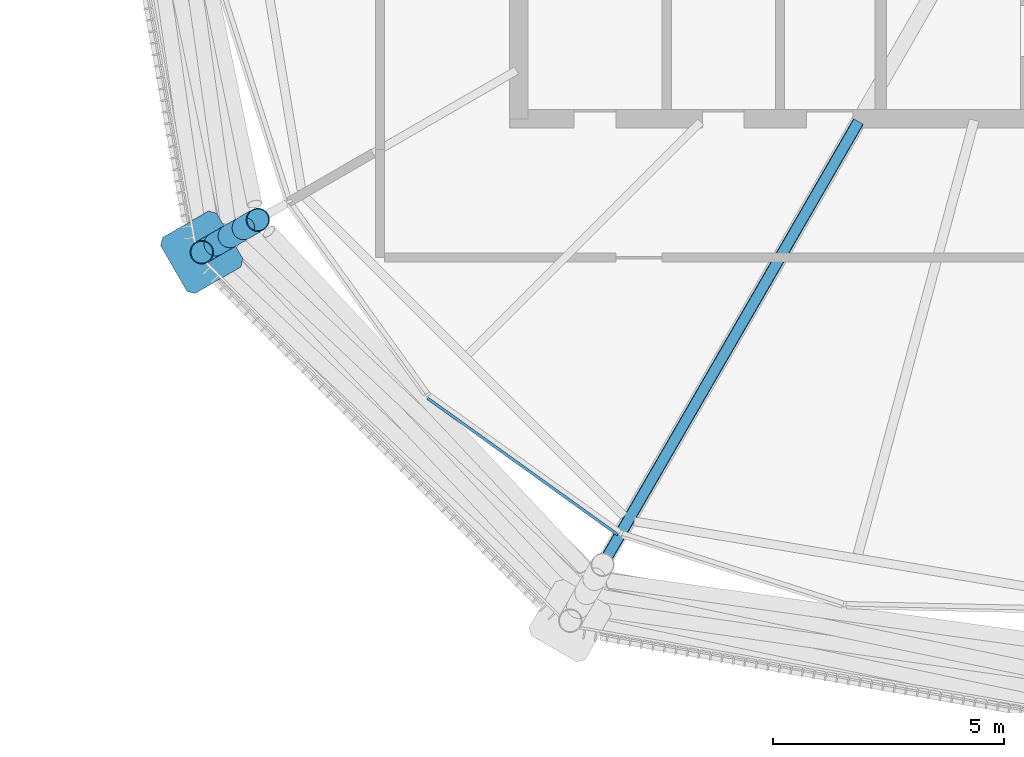
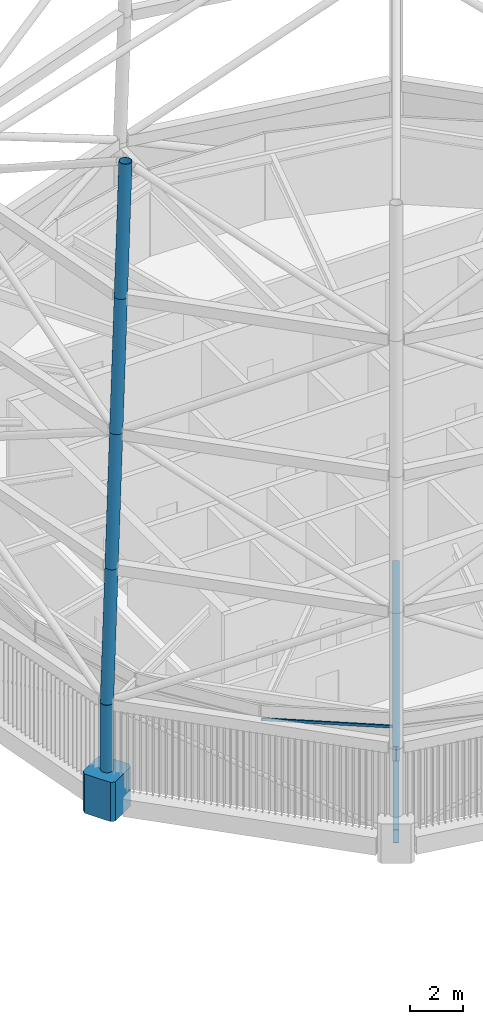
# One storey, part 38 of 71: 7 members, 2 beams, 1 element without a shape of its own.
"""IFC4 building model written with IfcOpenShell, lengths in metres."""

import ifcopenshell
import ifcopenshell.guid

model = None  # the IFC model being written
_history = None  # IfcOwnerHistory: only IFC2X3 demands one
_inside = {}  # id of a spatial element -> (the spatial element, [elements in it])
_under = {}  # id of a project, library or spatial element -> (it, [spatial elements below it])
_declared = {}  # id of a project -> (the project, [libraries it declares])
_typed = {}  # id of a type object -> (the type object, [elements of that type])
_made_of = {}  # id of a material, layer set ... -> (it, [elements and type objects made of it])


def new_model(schema):
    """Start an empty IFC model of exactly this schema.

    Asked for "IFC4X3", IfcOpenShell would pick the latest addendum, in which some entities
    have other attributes; the version numbers below select the first issue.
    IFC2X3 requires an IfcOwnerHistory on every rooted entity: one is made here for all.
    """
    global model, _history
    if schema == "IFC4X3":
        model = ifcopenshell.file(schema_version=(4, 3, 0, 0))
    else:
        model = ifcopenshell.file(schema=schema)
    _inside.clear()
    _under.clear()
    _declared.clear()
    _typed.clear()
    _made_of.clear()
    _history = None
    if model.schema == "IFC2X3":
        org = make("IfcOrganization", Name="unknown")
        user = make(
            "IfcPersonAndOrganization",
            ThePerson=make("IfcPerson", FamilyName="unknown"),
            TheOrganization=org,
        )
        app = make(
            "IfcApplication",
            ApplicationDeveloper=org,
            Version="unknown",
            ApplicationFullName="unknown",
            ApplicationIdentifier="unknown",
        )
        _history = make(
            "IfcOwnerHistory",
            OwningUser=user,
            OwningApplication=app,
            ChangeAction="ADDED",
            CreationDate=0,
        )
    return model


def make(cls, **values):
    """One entity of the class cls with the attributes given. An attribute that is None is left unset."""
    return model.create_entity(
        cls, **{name: value for name, value in values.items() if value is not None}
    )


def rooted(cls, **values):
    """An entity with a GlobalId (a new one), such as an element, a storey or a relation."""
    return make(cls, GlobalId=ifcopenshell.guid.new(), OwnerHistory=_history, **values)


def si_unit(unit_type, name, prefix=None):
    """IfcSIUnit, for example si_unit("LENGTHUNIT", "METRE", prefix="MILLI")."""
    return make("IfcSIUnit", UnitType=unit_type, Prefix=prefix, Name=name)


def assignment(units):
    """IfcUnitAssignment: the units of a project."""
    return None if units is None else make("IfcUnitAssignment", Units=units)


def point(xyz):
    """IfcCartesianPoint."""
    return None if xyz is None else make("IfcCartesianPoint", Coordinates=xyz)


def direction(xyz):
    """IfcDirection."""
    return None if xyz is None else make("IfcDirection", DirectionRatios=xyz)


def frame(location, z_axis=None, x_axis=None):
    """IfcAxis2Placement3D, a coordinate frame: its origin and axes. An axis left out is left unset."""
    return make(
        "IfcAxis2Placement3D",
        Location=point(location),
        Axis=direction(z_axis),
        RefDirection=direction(x_axis),
    )


def frame_2d(location, x_axis=None):
    """IfcAxis2Placement2D, a coordinate frame in the plane: its origin and x axis."""
    return make(
        "IfcAxis2Placement2D", Location=point(location), RefDirection=direction(x_axis)
    )


def origin():
    """The frame at (0, 0, 0) with its axes left unset."""
    return frame((0.0, 0.0, 0.0))


def origin_2d():
    """The frame at (0, 0) in the plane with its x axis left unset."""
    return frame_2d((0.0, 0.0))


def place(relative_to, where):
    """IfcLocalPlacement: puts the frame where relative to a parent placement (None: the world)."""
    return make(
        "IfcLocalPlacement", PlacementRelTo=relative_to, RelativePlacement=where
    )


def context(
    kind, dimensions, precision=None, world=None, true_north=None, identifier=None
):
    """IfcGeometricRepresentationContext, for example the 3D "Model" context."""
    return make(
        "IfcGeometricRepresentationContext",
        ContextIdentifier=identifier,
        ContextType=kind,
        CoordinateSpaceDimension=dimensions,
        Precision=precision,
        WorldCoordinateSystem=world,
        TrueNorth=true_north,
    )


def subcontext(parent, identifier, kind, view, scale=None):
    """IfcGeometricRepresentationSubContext, for example "Body" below "Model"."""
    return make(
        "IfcGeometricRepresentationSubContext",
        ContextIdentifier=identifier,
        ContextType=kind,
        ParentContext=parent,
        TargetScale=scale,
        TargetView=view,
    )


def project(units=None, contexts=None):
    """IfcProject with its units and contexts."""
    return rooted(
        "IfcProject",
        Name="project",
        RepresentationContexts=contexts,
        UnitsInContext=assignment(units),
    )


def spatial(cls, under=None, at=None, **own):
    """A site, building, storey or space (cls), placed at a placement, below another one or the project."""
    s = rooted(cls, ObjectPlacement=at, **own)
    if under is not None:
        _under.setdefault(under.id(), (under, []))[1].append(s)
    return s


def polyline(points):
    """IfcPolyline through the points."""
    return make("IfcPolyline", Points=[point(p) for p in points])


def profile(cls, at=None, kind="AREA", **sizes):
    """A parametric profile (cls). Its sizes go by their IFC names, for example OverallWidth=200.0."""
    return make(cls, ProfileType=kind, Position=at, **sizes)


def rectangle(**sizes):
    """IfcRectangleProfileDef."""
    return profile("IfcRectangleProfileDef", **sizes)


def hollow_circle(**sizes):
    """IfcCircleHollowProfileDef."""
    return profile("IfcCircleHollowProfileDef", **sizes)


def i_section(**sizes):
    """IfcIShapeProfileDef."""
    return profile("IfcIShapeProfileDef", **sizes)


def outline(outer, holes=None, kind="AREA"):
    """IfcArbitraryClosedProfileDef: a profile drawn as a closed curve; with holes, ...WithVoids."""
    if holes is None:
        return make("IfcArbitraryClosedProfileDef", ProfileType=kind, OuterCurve=outer)
    return make(
        "IfcArbitraryProfileDefWithVoids",
        ProfileType=kind,
        OuterCurve=outer,
        InnerCurves=holes,
    )


def extrude(swept, where, along, depth):
    """IfcExtrudedAreaSolid: the profile swept, set in the frame where, extruded along a direction by depth."""
    return make(
        "IfcExtrudedAreaSolid",
        SweptArea=swept,
        Position=where,
        ExtrudedDirection=direction(along),
        Depth=depth,
    )


def shape(context_of_items, identifier, shape_type, items):
    """IfcShapeRepresentation: the items that make up one representation, for example the "Body"."""
    return make(
        "IfcShapeRepresentation",
        ContextOfItems=context_of_items,
        RepresentationIdentifier=identifier,
        RepresentationType=shape_type,
        Items=items,
    )


def material(Name=None, Category=None):
    """IfcMaterial."""
    return make("IfcMaterial", Name=Name, Category=Category)


def material_profile(
    of_material, cross_section, Name=None, Category=None, Priority=None
):
    """IfcMaterialProfile: a cross section and its material."""
    return make(
        "IfcMaterialProfile",
        Name=Name,
        Material=of_material,
        Profile=cross_section,
        Priority=Priority,
        Category=Category,
    )


def profile_set(profiles, Name=None, composite=None):
    """IfcMaterialProfileSet."""
    return make(
        "IfcMaterialProfileSet",
        Name=Name,
        MaterialProfiles=profiles,
        CompositeProfile=composite,
    )


def made_of(thing, what):
    """Note that an element or type object is made of a material, layer set ...; save() writes the relation."""
    if what is not None:
        _made_of.setdefault(what.id(), (what, []))[1].append(thing)
    return thing


def type_object(cls, material=None, **own):
    """A type object (cls), such as IfcWallType, which elements share."""
    return made_of(rooted(cls, **own), material)


def element(
    cls,
    number,
    at=None,
    inside=None,
    cuts=None,
    type_object=None,
    material=None,
    context=None,
    identifier="Body",
    shape_type=None,
    held_by="IfcProductDefinitionShape",
    body=None,
    shapes=None,
    **own,
):
    """One element of the class cls, such as IfcWall. Its Tag is "e" and its number.

    at: its placement. inside: the storey or other place that contains it. cuts: it is an
    opening in that element (IfcRelVoidsElement). A single representation is given by context,
    identifier, shape_type and body (its items); several are given by shapes. held_by: the class
    of the entity that holds the representations. save() writes the other relations.
    """
    e = rooted(cls, Tag="e%d" % number, ObjectPlacement=at, **own)
    if body is not None:
        shapes = [shape(context, identifier, shape_type, body)]
    if shapes is not None:
        e.Representation = make(held_by, Representations=shapes)
    if inside is not None:
        _inside.setdefault(inside.id(), (inside, []))[1].append(e)
    if cuts is not None:
        rooted(
            "IfcRelVoidsElement", RelatingBuildingElement=cuts, RelatedOpeningElement=e
        )
    if type_object is not None:
        _typed.setdefault(type_object.id(), (type_object, []))[1].append(e)
    return made_of(e, material)


def aggregate(whole, parts):
    """IfcRelAggregates: a whole, such as a stair, and the parts it consists of."""
    return rooted("IfcRelAggregates", RelatingObject=whole, RelatedObjects=parts)


def save(model, path):
    """Write the relations noted so far, then the file.

    IfcRelAggregates (storeys below a building ...), IfcRelContainedInSpatialStructure (elements
    in a storey), IfcRelDefinesByType, IfcRelAssociatesMaterial and IfcRelDeclares: one each for
    every whole, place, type object, material and project.
    """
    for whole, parts in _under.values():
        aggregate(whole, parts)
    for where, things in _inside.values():
        rooted(
            "IfcRelContainedInSpatialStructure",
            RelatedElements=things,
            RelatingStructure=where,
        )
    for kind, things in _typed.values():
        rooted("IfcRelDefinesByType", RelatedObjects=things, RelatingType=kind)
    for what, things in _made_of.values():
        rooted("IfcRelAssociatesMaterial", RelatedObjects=things, RelatingMaterial=what)
    for by, libraries in _declared.values():
        rooted("IfcRelDeclares", RelatingContext=by, RelatedDefinitions=libraries)
    model.write(path)


model = new_model("IFC4")

# Units and contexts
model_context = context("Model", 3, precision=1e-05, world=origin(), true_north=direction((0.0, 1.0)))
body_context = subcontext(model_context, "Body", "Model", "MODEL_VIEW")
ifc_project = project(units=[si_unit("LENGTHUNIT", "METRE"), si_unit("AREAUNIT", "SQUARE_METRE"), si_unit("VOLUMEUNIT", "CUBIC_METRE"), si_unit("PLANEANGLEUNIT", "RADIAN"), si_unit("MASSUNIT", "GRAM", prefix="KILO")], contexts=[model_context])

# Site, building, storey
site_placement = place(None, origin())
site = spatial("IfcSite", under=ifc_project, at=site_placement, CompositionType="ELEMENT")
building_placement = place(site_placement, origin())
building = spatial("IfcBuilding", under=site, at=building_placement, Name="Rimbun Link Towers", CompositionType="ELEMENT")
storey_placement = place(building_placement, frame((0.0, 0.0, 267.60009765625)))
storey = spatial("IfcBuildingStorey", under=building, at=storey_placement, Name="L65", CompositionType="ELEMENT", Elevation=267.60009765625)

# Curtain wall, member
ifc_material_1 = material(Name="Aluminium 6063-T6 louvre wall", Category="aluminium")
curtain_wall_type = type_object("IfcCurtainWallType", Name="CW6 plant floor louvre wall", PredefinedType="NOTDEFINED", material=ifc_material_1)
curtain_wall_placement = place(storey_placement, origin())
curtain_wall = element("IfcCurtainWall", 1, at=curtain_wall_placement, inside=storey, type_object=curtain_wall_type, Name="CW6 L65 T2", PredefinedType="NOTDEFINED")
ifc_material_2 = material(Name="Aluminium 6063-T6", Category="aluminium")
ifc_material_profile_1 = material_profile(ifc_material_2, rectangle(XDim=0.06005859375, YDim=0.1201171875, at=origin_2d()), Name="TRANSOM 60X120")
ifc_profile_set_1 = profile_set([ifc_material_profile_1], Name="Aluminium 6063-T6")
member_type_1 = type_object("IfcMemberType", Name="CW6 transom 60X120", PredefinedType="USERDEFINED", material=ifc_profile_set_1)
member_1_placement = place(storey_placement, frame((21.890380859375, -16.991943359375, 3.39990234375), z_axis=(-0.812456764852, 0.583021444928, 0.0), x_axis=(-0.583021444928, -0.812456764852, 0.0)))
member_1 = element("IfcMember", 2, at=member_1_placement, type_object=member_type_1, Name="CW6 transom", ObjectType="TRANSOM", PredefinedType="USERDEFINED", context=body_context, shape_type="SweptSolid", body=[
    extrude(rectangle(XDim=0.06005859375, YDim=0.1201171875, at=origin_2d()), origin(), (0.0, 0.0, 1.0), 5.059814453125),
])
aggregate(curtain_wall, [member_1])

# Members
ifc_material_3 = material(Name="Steel S355J2H", Category="steel")
ifc_material_profile_2 = material_profile(ifc_material_3, hollow_circle(Radius=0.25390625, WallThickness=0.02001953125, at=origin_2d()), Name="Crown frame post CHS 508x20")
ifc_profile_set_2 = profile_set([ifc_material_profile_2], Name="Steel S355J2H")
member_type_2 = type_object("IfcMemberType", Name="Crown frame post CHS 508x20", PredefinedType="POST", material=ifc_profile_set_2)
member_2_placement = place(storey_placement, frame((12.897705078125, -10.884521484375, 0.0), z_axis=(0.0, 0.0, 1.0), x_axis=(1.0, 0.0, 0.0)))
element("IfcMember", 3, at=member_2_placement, inside=storey, type_object=member_type_2, Name="CROWN FRAME post T2 1-05", PredefinedType="POST", context=body_context, shape_type="SweptSolid", body=[
    extrude(hollow_circle(Radius=0.25390625, WallThickness=0.02001953125, at=origin_2d()), origin(), (0.0, 0.0, 1.0), 4.0),
])
for number, where, z_axis, x_axis, name in (
    (4, (12.897705078125, -10.884521484375, 4.0), (0.050410767075, 0.029125318286, 0.998303796646), (-0.500265973451, 0.865871789474, 0.0), "CROWN FRAME post T2 2-05"),
    (5, (13.20068359375, -10.70947265625, 10.0), (0.050451284808, 0.029125258621, 0.998301751562), (-0.49996389635, 0.866046247233, 0.0), "CROWN FRAME post T2 3-05"),
    (6, (13.50390625, -10.534423828125, 16.0), (0.050410767075, 0.029125318286, 0.998303796646), (-0.500265973451, 0.865871789474, 0.0), "CROWN FRAME post T2 4-05"),
    (7, (13.806884765625, -10.359375, 22.0), (0.050451284808, 0.029125258621, 0.998301751562), (-0.49996389635, 0.866046247233, 0.0), "CROWN FRAME post T2 5-05"),
):
    element("IfcMember", number, at=place(storey_placement, frame(where, z_axis=z_axis, x_axis=x_axis)), inside=storey, type_object=member_type_2, Name=name, PredefinedType="POST", context=body_context, shape_type="SweptSolid", body=[
        extrude(hollow_circle(Radius=0.25390625, WallThickness=0.02001953125, at=origin_2d()), origin(), (0.0, 0.0, 1.0), 6.01025390625),
    ])
ifc_material_4 = material(Name="Cast steel G20Mn5+QT, Rp0.2 300 MPa", Category="steel")
ifc_material_profile_3 = material_profile(ifc_material_4, outline(polyline([(0.699951171875, -0.570068359375), (0.699951171875, 0.570068359375), (0.570068359375, 0.699951171875), (-0.570068359375, 0.699951171875), (-0.699951171875, 0.570068359375), (-0.699951171875, -0.570068359375), (-0.570068359375, -0.699951171875), (0.570068359375, -0.699951171875), (0.699951171875, -0.570068359375)])), Name="NODE 1400x1400")
ifc_profile_set_3 = profile_set([ifc_material_profile_3], Name="Cast steel G20Mn5+QT, Rp0.2 300 MPa")
member_type_3 = type_object("IfcMemberType", Name="Diagrid node cast 1400", PredefinedType="USERDEFINED", material=ifc_profile_set_3)
member_3_placement = place(storey_placement, frame((12.897705078125, -10.884521484375, -0.900146484375), z_axis=(0.0, 0.0, 1.0), x_axis=(-0.866025403784, -0.5, 0.0)))
element("IfcMember", 8, at=member_3_placement, inside=storey, type_object=member_type_3, Name="Diagrid node L65 11", ObjectType="Diagrid node", PredefinedType="USERDEFINED", context=body_context, shape_type="SweptSolid", body=[
    extrude(outline(polyline([(0.699951171875, -0.570068359375), (0.699951171875, 0.570068359375), (0.570068359375, 0.699951171875), (-0.570068359375, 0.699951171875), (-0.699951171875, 0.570068359375), (-0.699951171875, -0.570068359375), (-0.570068359375, -0.699951171875), (0.570068359375, -0.699951171875), (0.699951171875, -0.570068359375)])), origin(), (0.0, 0.0, 1.0), 1.800048828125),
])

# Beams
ifc_material_5 = material(Name="Steel S355J2", Category="steel")
ifc_material_profile_4 = material_profile(ifc_material_5, i_section(OverallWidth=0.2275390625, OverallDepth=0.6025390625, WebThickness=0.010498046875, FlangeThickness=0.014892578125, at=origin_2d()), Name="UB 610x229x101")
ifc_profile_set_4 = profile_set([ifc_material_profile_4], Name="Steel S355J2")
beam_type_1 = type_object("IfcBeamType", Name="UB 610x229x101", PredefinedType="BEAM", material=ifc_profile_set_4)
beam_1_placement = place(storey_placement, frame((27.097900390625, -8.057861328125, -0.50146484375), z_axis=(-0.500019200167, -0.866014318279, 0.0), x_axis=(0.866014318279, -0.500019200167, 0.0)))
element("IfcBeam", 9, at=beam_1_placement, inside=storey, type_object=beam_type_1, Name="Radial beam T2 L65 13", PredefinedType="BEAM", context=body_context, shape_type="SweptSolid", body=[
    extrude(i_section(OverallWidth=0.2275390625, OverallDepth=0.6025390625, WebThickness=0.010498046875, FlangeThickness=0.014892578125, at=origin_2d()), origin(), (0.0, 0.0, 1.0), 11.96435546875),
])
ifc_material_6 = material(Name="Steel S355J2", Category="steel")
ifc_material_profile_5 = material_profile(ifc_material_6, i_section(OverallWidth=0.253662109375, OverallDepth=0.68359375, WebThickness=0.012451171875, FlangeThickness=0.01904296875, at=origin_2d()), Name="UB 686x254x140")
ifc_profile_set_5 = profile_set([ifc_material_profile_5], Name="Steel S355J2")
beam_type_2 = type_object("IfcBeamType", Name="UB 686x254x140", PredefinedType="BEAM", material=ifc_profile_set_5)
beam_2_placement = place(storey_placement, frame((27.093994140625, -8.064208984375, 3.458251953125), z_axis=(-0.499990440921, -0.866030922651, 0.0), x_axis=(0.866030922651, -0.499990440921, 0.0)))
element("IfcBeam", 10, at=beam_2_placement, inside=storey, type_object=beam_type_2, Name="Radial beam T2 L65 13", PredefinedType="BEAM", context=body_context, shape_type="SweptSolid", body=[
    extrude(i_section(OverallWidth=0.253662109375, OverallDepth=0.68359375, WebThickness=0.012451171875, FlangeThickness=0.01904296875, at=origin_2d()), origin(), (0.0, 0.0, 1.0), 12.197021484375),
])

save(model, "model.ifc")
